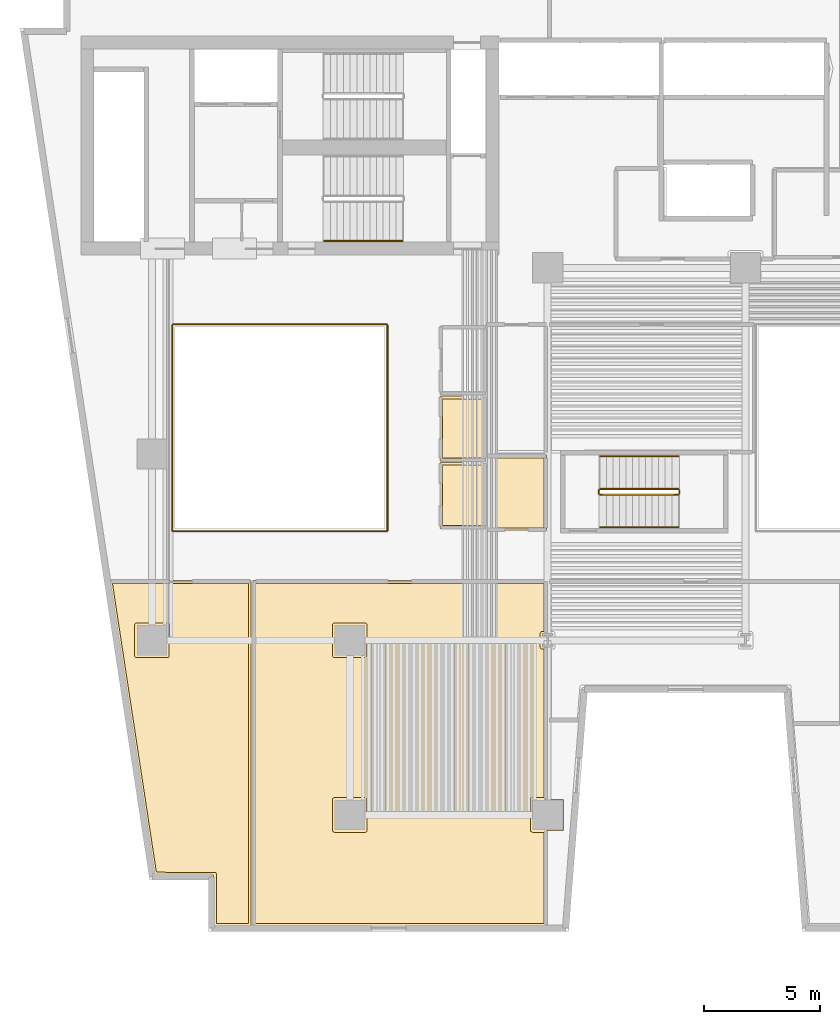
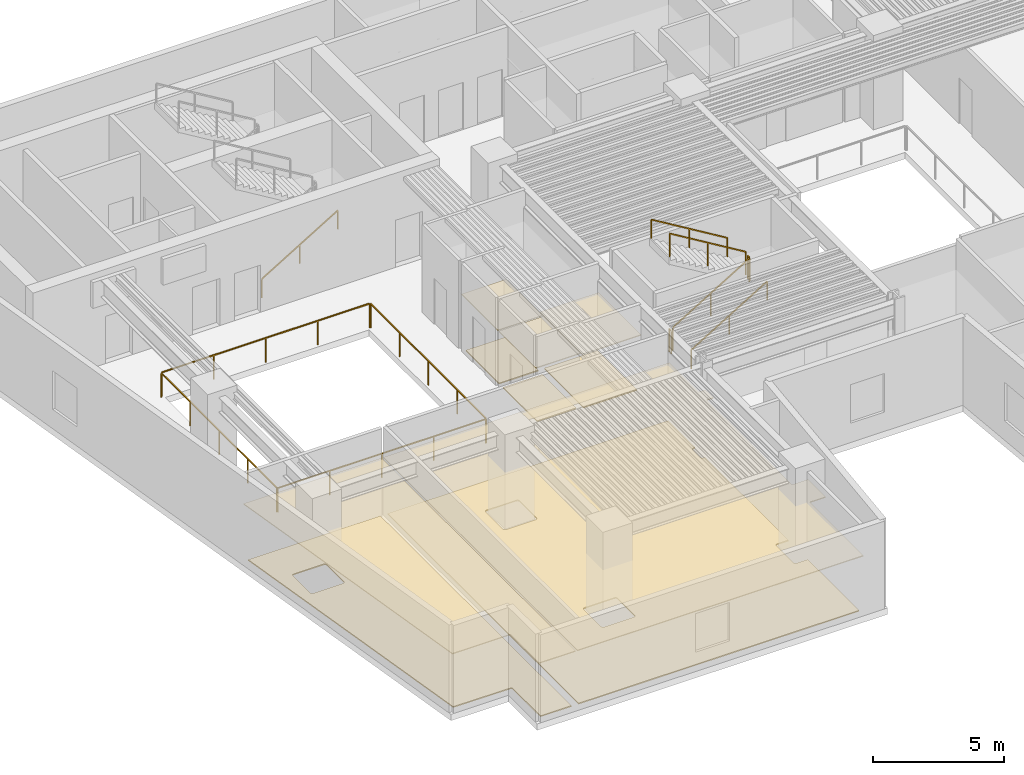
# One storey, part 8 of 11: 11 railings, 10 coverings.
"""IFC4 building model written with IfcOpenShell, lengths in metres."""

from ifc_helpers import new_model, si_unit, direction, frame, origin, origin_2d, place, context, subcontext, project, spatial, polyline, rectangle, outline, extrude, material, layer, layer_set, type_object, element, save


model = new_model("IFC4")

# Units and contexts
model_context = context("Model", 3, precision=1e-05, world=origin(), true_north=direction((0.0, 1.0)))
body_context = subcontext(model_context, "Body", "Model", "MODEL_VIEW")
ifc_project = project(units=[si_unit("LENGTHUNIT", "METRE"), si_unit("AREAUNIT", "SQUARE_METRE"), si_unit("VOLUMEUNIT", "CUBIC_METRE"), si_unit("PLANEANGLEUNIT", "RADIAN"), si_unit("MASSUNIT", "GRAM", prefix="KILO")], contexts=[model_context])

# Site, building, storey
site_placement = place(None, origin())
site = spatial("IfcSite", under=ifc_project, at=site_placement, CompositionType="ELEMENT")
building_placement = place(site_placement, origin())
building = spatial("IfcBuilding", under=site, at=building_placement, Name="Caeloran Harvest Quay", CompositionType="ELEMENT")
storey_placement = place(building_placement, frame((0.0, 0.0, 40.199951171875)))
storey = spatial("IfcBuildingStorey", under=building, at=storey_placement, Name="L09", CompositionType="ELEMENT", Elevation=40.199951171875)

# Coverings
ifc_material_1 = material(Name="Perforated Mineral-Fibre Acoustic Ceiling Tile", Category="ceiling")
ifc_layer_1 = layer(ifc_material_1, 0.0400390625, Name="Perforated Mineral-Fibre Acoustic Ceiling Tile")
ifc_layer_set_1 = layer_set([ifc_layer_1], Name="Perforated Mineral-Fibre Acoustic Ceiling Tile")
covering_type_1 = type_object("IfcCoveringType", Name="COV-CEILING-ACOUSTIC", PredefinedType="CEILING", material=ifc_layer_set_1)
covering_1_placement = place(storey_placement, frame((0.0, 0.0, 2.60009765625)))
element("IfcCovering", 1, at=covering_1_placement, inside=storey, type_object=covering_type_1, Name="L09 Female Washroom WC Acoustic Ceiling", PredefinedType="CEILING", context=body_context, shape_type="SweptSolid", body=[
    extrude(outline(polyline([(22.840087890625, 22.7099609375), (20.8701171875, 22.7099609375), (20.8701171875, 25.489990234375), (22.840087890625, 25.489990234375), (22.840087890625, 22.7099609375)])), origin(), (0.0, 0.0, 1.0), 0.0400390625),
])
covering_2_placement = place(storey_placement, frame((0.0, 0.0, 2.60009765625)))
element("IfcCovering", 2, at=covering_2_placement, inside=storey, type_object=covering_type_1, Name="L09 Accessible Unisex Washroom WC Acoustic Ceiling", PredefinedType="CEILING", context=body_context, shape_type="SweptSolid", body=[
    extrude(outline(polyline([(22.840087890625, 19.81005859375), (20.8701171875, 19.81005859375), (20.8701171875, 22.639892578125), (22.840087890625, 22.639892578125), (22.840087890625, 19.81005859375)])), origin(), (0.0, 0.0, 1.0), 0.0400390625),
])
covering_3_placement = place(storey_placement, frame((0.0, 0.0, 2.60009765625)))
element("IfcCovering", 3, at=covering_3_placement, inside=storey, type_object=covering_type_1, Name="Saffron and Herb Vertical Growing Room Acoustic Ceiling", PredefinedType="CEILING", context=body_context, shape_type="SweptSolid", body=[
    extrude(outline(polyline([(26.169921875, 8.169921875), (26.169921875, 6.830078125), (25.4599609375, 6.830078125), (25.4599609375, 2.719970703125), (12.840087890625, 2.719970703125), (12.840087890625, 17.56005859375), (25.4599609375, 17.56005859375), (25.4599609375, 15.304443359375), (25.7470703125, 15.304443359375), (25.7470703125, 14.695556640625), (25.4599609375, 14.695556640625), (25.4599609375, 8.169921875), (26.169921875, 8.169921875)])), origin(), (0.0, 0.0, 1.0), 0.0400390625),
])
covering_4_placement = place(storey_placement, frame((0.0, 0.0, 2.60009765625)))
element("IfcCovering", 4, at=covering_4_placement, inside=storey, type_object=covering_type_1, Name="Pollination Entomology Laboratory Acoustic Ceiling", PredefinedType="CEILING", context=body_context, shape_type="SweptSolid", body=[
    extrude(outline(polyline([(12.760009765625, 2.719970703125), (11.156982421875, 2.719970703125), (11.156982421875, 4.919921875), (8.59130859375, 4.919921875), (6.668701171875, 17.56005859375), (12.760009765625, 17.56005859375), (12.760009765625, 2.719970703125)])), origin(), (0.0, 0.0, 1.0), 0.0400390625),
])
covering_5_placement = place(storey_placement, frame((0.0, 0.0, 2.60009765625)))
element("IfcCovering", 5, at=covering_5_placement, inside=storey, type_object=covering_type_1, Name="Controlled-Climate Seed Vault Laboratory Acoustic Ceiling", PredefinedType="CEILING", context=body_context, shape_type="SweptSolid", body=[
    extrude(outline(polyline([(25.4599609375, 19.7099609375), (22.8701171875, 19.7099609375), (22.8701171875, 22.9599609375), (25.4599609375, 22.9599609375), (25.4599609375, 19.7099609375)])), origin(), (0.0, 0.0, 1.0), 0.0400390625),
])
ifc_material_2 = material(Name="Calcium-Sulphate Raised Access Floor and Terrazzo Finish", Category="flooring")
ifc_layer_2 = layer(ifc_material_2, 0.050048828125, Name="Calcium-Sulphate Raised Access Floor and Terrazzo Finish")
ifc_layer_set_2 = layer_set([ifc_layer_2], Name="Calcium-Sulphate Raised Access Floor and Terrazzo Finish")
covering_type_2 = type_object("IfcCoveringType", Name="COV-FLOOR-RAISED", PredefinedType="FLOORING", material=ifc_layer_set_2)
covering_6_placement = place(storey_placement, origin())
element("IfcCovering", 6, at=covering_6_placement, inside=storey, type_object=covering_type_2, Name="L09 Female Washroom WC Raised Finish Flooring", PredefinedType="FLOORING", context=body_context, shape_type="SweptSolid", body=[
    extrude(outline(polyline([(22.719970703125, 22.830078125), (20.989990234375, 22.830078125), (20.989990234375, 25.3701171875), (22.719970703125, 25.3701171875), (22.719970703125, 22.830078125)])), origin(), (0.0, 0.0, 1.0), 0.050048828125),
])
covering_7_placement = place(storey_placement, origin())
element("IfcCovering", 7, at=covering_7_placement, inside=storey, type_object=covering_type_2, Name="L09 Accessible Unisex Washroom WC Raised Finish Flooring", PredefinedType="FLOORING", context=body_context, shape_type="SweptSolid", body=[
    extrude(outline(polyline([(22.719970703125, 19.929931640625), (20.989990234375, 19.929931640625), (20.989990234375, 22.52001953125), (22.719970703125, 22.52001953125), (22.719970703125, 19.929931640625)])), origin(), (0.0, 0.0, 1.0), 0.050048828125),
])
covering_8_placement = place(storey_placement, origin())
element("IfcCovering", 8, at=covering_8_placement, inside=storey, type_object=covering_type_2, Name="Saffron and Herb Vertical Growing Room Raised Finish Flooring", PredefinedType="FLOORING", context=body_context, shape_type="SweptSolid", body=[
    extrude(outline(polyline([(25.340087890625, 17.43994140625), (25.340087890625, 15.37939453125), (25.22021484375, 15.3701171875), (25.177978515625, 15.299560546875), (25.179443359375, 14.684814453125), (25.227294921875, 14.626708984375), (25.340087890625, 14.62060546875), (25.340087890625, 8.2451171875), (24.8271484375, 8.24462890625), (24.773193359375, 8.2158203125), (24.7548828125, 8.1650390625), (24.760986328125, 6.804443359375), (24.8271484375, 6.75537109375), (25.340087890625, 6.7548828125), (25.340087890625, 2.840087890625), (12.9599609375, 2.840087890625), (12.9599609375, 17.43994140625), (25.340087890625, 17.43994140625)]), holes=[polyline([(16.3349609375, 8.2451171875), (16.2783203125, 8.2216796875), (16.2548828125, 8.1650390625), (16.2548828125, 6.8349609375), (16.2783203125, 6.7783203125), (16.3349609375, 6.7548828125), (17.6650390625, 6.7548828125), (17.7216796875, 6.7783203125), (17.7451171875, 6.8349609375), (17.7451171875, 8.1650390625), (17.7216796875, 8.2216796875), (17.6650390625, 8.2451171875), (16.3349609375, 8.2451171875)]), polyline([(17.7451171875, 15.6650390625), (17.7216796875, 15.7216796875), (17.6650390625, 15.7451171875), (16.3349609375, 15.7451171875), (16.2783203125, 15.7216796875), (16.2548828125, 15.6650390625), (16.2548828125, 14.3349609375), (16.2783203125, 14.2783203125), (16.3349609375, 14.2548828125), (17.6650390625, 14.2548828125), (17.7216796875, 14.2783203125), (17.7451171875, 14.3349609375), (17.7451171875, 15.6650390625)])]), origin(), (0.0, 0.0, 1.0), 0.050048828125),
])
covering_9_placement = place(storey_placement, origin())
element("IfcCovering", 9, at=covering_9_placement, inside=storey, type_object=covering_type_2, Name="Pollination Entomology Laboratory Raised Finish Flooring", PredefinedType="FLOORING", context=body_context, shape_type="SweptSolid", body=[
    extrude(outline(polyline([(12.639892578125, 17.43994140625), (12.639892578125, 2.840087890625), (11.277099609375, 2.840087890625), (11.277099609375, 4.9599609375), (11.247802734375, 5.021728515625), (8.694580078125, 5.0400390625), (6.80810546875, 17.43994140625), (12.639892578125, 17.43994140625)]), holes=[polyline([(9.2451171875, 15.6650390625), (9.2216796875, 15.7216796875), (9.1650390625, 15.7451171875), (7.8349609375, 15.7451171875), (7.7783203125, 15.7216796875), (7.7548828125, 15.6650390625), (7.7548828125, 14.3349609375), (7.7783203125, 14.2783203125), (7.8349609375, 14.2548828125), (9.1650390625, 14.2548828125), (9.2216796875, 14.2783203125), (9.2451171875, 14.3349609375), (9.2451171875, 15.6650390625)])]), origin(), (0.0, 0.0, 1.0), 0.050048828125),
])
covering_10_placement = place(storey_placement, origin())
element("IfcCovering", 10, at=covering_10_placement, inside=storey, type_object=covering_type_2, Name="Controlled-Climate Seed Vault Laboratory Raised Finish Flooring", PredefinedType="FLOORING", context=body_context, shape_type="SweptSolid", body=[
    extrude(outline(polyline([(25.340087890625, 19.830078125), (22.989990234375, 19.830078125), (22.989990234375, 22.840087890625), (25.340087890625, 22.840087890625), (25.340087890625, 19.830078125)])), origin(), (0.0, 0.0, 1.0), 0.050048828125),
])

# Railings
ifc_material_3 = material(Name="Powder-Coated Steel Post and Laminated Glass Guardrail", Category="steel")
ifc_layer_3 = layer(ifc_material_3, 0.06005859375, Name="Powder-Coated Steel Post and Laminated Glass Guardrail")
ifc_layer_set_3 = layer_set([ifc_layer_3], Name="Powder-Coated Steel Post and Laminated Glass Guardrail")
railing_type_1 = type_object("IfcRailingType", Name="GUARD-ATRIUM-1150", PredefinedType="GUARDRAIL", material=ifc_layer_set_3)
railing_1_placement = place(storey_placement, frame((9.412109375, 19.679931640625, 0.0)))
element("IfcRailing", 11, at=railing_1_placement, inside=storey, type_object=railing_type_1, Name="L09 Skylit Atrium Void Perimeter Guardrail Seg 1", PredefinedType="GUARDRAIL", context=body_context, shape_type="SweptSolid", body=[
    extrude(rectangle(XDim=0.048095703125, YDim=0.048095703125, at=origin_2d()), frame((0.0, 0.0, 1.1259765625), z_axis=(1.0, 0.0, 0.0), x_axis=(0.0, 1.0, 0.0)), (0.0, 0.0, 1.0), 9.17578125),
    extrude(rectangle(XDim=0.0419921875, YDim=0.0419921875, at=origin_2d()), origin(), (0.0, 0.0, 1.0), 1.101806640625),
    extrude(rectangle(XDim=0.0419921875, YDim=0.0419921875, at=origin_2d()), frame((2.2939453125, 0.0, 0.0)), (0.0, 0.0, 1.0), 1.101806640625),
    extrude(rectangle(XDim=0.0419921875, YDim=0.0419921875, at=origin_2d()), frame((4.587890625, 0.0, 0.0)), (0.0, 0.0, 1.0), 1.101806640625),
    extrude(rectangle(XDim=0.0419921875, YDim=0.0419921875, at=origin_2d()), frame((6.8818359375, 0.0, 0.0)), (0.0, 0.0, 1.0), 1.101806640625),
    extrude(rectangle(XDim=0.0419921875, YDim=0.0419921875, at=origin_2d()), frame((9.17578125, 0.0, 0.0)), (0.0, 0.0, 1.0), 1.101806640625),
])
railing_2_placement = place(storey_placement, frame((18.6201171875, 19.7119140625, 0.0)))
element("IfcRailing", 12, at=railing_2_placement, inside=storey, type_object=railing_type_1, Name="L09 Skylit Atrium Void Perimeter Guardrail Seg 2", PredefinedType="GUARDRAIL", context=body_context, shape_type="SweptSolid", body=[
    extrude(rectangle(XDim=0.048095703125, YDim=0.048095703125, at=origin_2d()), frame((0.0, 0.0, 1.1259765625), z_axis=(0.0, 1.0, 0.0), x_axis=(-1.0, 0.0, 0.0)), (0.0, 0.0, 1.0), 8.826171875),
    extrude(rectangle(XDim=0.0419921875, YDim=0.0419921875, at=origin_2d()), origin(), (0.0, 0.0, 1.0), 1.101806640625),
    extrude(rectangle(XDim=0.0419921875, YDim=0.0419921875, at=origin_2d()), frame((0.0, 2.20654296875, 0.0)), (0.0, 0.0, 1.0), 1.101806640625),
    extrude(rectangle(XDim=0.0419921875, YDim=0.0419921875, at=origin_2d()), frame((0.0, 4.4130859375, 0.0)), (0.0, 0.0, 1.0), 1.101806640625),
    extrude(rectangle(XDim=0.0419921875, YDim=0.0419921875, at=origin_2d()), frame((0.0, 6.61962890625, 0.0)), (0.0, 0.0, 1.0), 1.101806640625),
    extrude(rectangle(XDim=0.0419921875, YDim=0.0419921875, at=origin_2d()), frame((0.0, 8.826171875, 0.0)), (0.0, 0.0, 1.0), 1.101806640625),
])
railing_3_placement = place(storey_placement, frame((18.587890625, 28.570068359375, 0.0)))
element("IfcRailing", 13, at=railing_3_placement, inside=storey, type_object=railing_type_1, Name="L09 Skylit Atrium Void Perimeter Guardrail Seg 3", PredefinedType="GUARDRAIL", context=body_context, shape_type="SweptSolid", body=[
    extrude(rectangle(XDim=0.048095703125, YDim=0.048095703125, at=origin_2d()), frame((0.0, 0.0, 1.1259765625), z_axis=(-1.0, 0.0, 0.0), x_axis=(0.0, -1.0, 0.0)), (0.0, 0.0, 1.0), 9.17578125),
    extrude(rectangle(XDim=0.0419921875, YDim=0.0419921875, at=origin_2d()), origin(), (0.0, 0.0, 1.0), 1.101806640625),
    extrude(rectangle(XDim=0.0419921875, YDim=0.0419921875, at=origin_2d()), frame((-2.2939453125, 0.0, 0.0)), (0.0, 0.0, 1.0), 1.101806640625),
    extrude(rectangle(XDim=0.0419921875, YDim=0.0419921875, at=origin_2d()), frame((-4.587890625, 0.0, 0.0)), (0.0, 0.0, 1.0), 1.101806640625),
    extrude(rectangle(XDim=0.0419921875, YDim=0.0419921875, at=origin_2d()), frame((-6.8818359375, 0.0, 0.0)), (0.0, 0.0, 1.0), 1.101806640625),
    extrude(rectangle(XDim=0.0419921875, YDim=0.0419921875, at=origin_2d()), frame((-9.17578125, 0.0, 0.0)), (0.0, 0.0, 1.0), 1.101806640625),
])
railing_4_placement = place(storey_placement, frame((9.3798828125, 28.5380859375, 0.0)))
element("IfcRailing", 14, at=railing_4_placement, inside=storey, type_object=railing_type_1, Name="L09 Skylit Atrium Void Perimeter Guardrail Seg 4", PredefinedType="GUARDRAIL", context=body_context, shape_type="SweptSolid", body=[
    extrude(rectangle(XDim=0.048095703125, YDim=0.048095703125, at=origin_2d()), frame((0.0, 0.0, 1.1259765625), z_axis=(0.0, -1.0, 0.0), x_axis=(1.0, 0.0, 0.0)), (0.0, 0.0, 1.0), 8.826171875),
    extrude(rectangle(XDim=0.0419921875, YDim=0.0419921875, at=origin_2d()), origin(), (0.0, 0.0, 1.0), 1.101806640625),
    extrude(rectangle(XDim=0.0419921875, YDim=0.0419921875, at=origin_2d()), frame((0.0, -2.20654296875, 0.0)), (0.0, 0.0, 1.0), 1.101806640625),
    extrude(rectangle(XDim=0.0419921875, YDim=0.0419921875, at=origin_2d()), frame((0.0, -4.4130859375, 0.0)), (0.0, 0.0, 1.0), 1.101806640625),
    extrude(rectangle(XDim=0.0419921875, YDim=0.0419921875, at=origin_2d()), frame((0.0, -6.61962890625, 0.0)), (0.0, 0.0, 1.0), 1.101806640625),
    extrude(rectangle(XDim=0.0419921875, YDim=0.0419921875, at=origin_2d()), frame((0.0, -8.826171875, 0.0)), (0.0, 0.0, 1.0), 1.101806640625),
])
ifc_material_4 = material(Name="Painted Steel Baluster and Top-Rail Stair Guard", Category="steel")
ifc_layer_4 = layer(ifc_material_4, 0.050048828125, Name="Painted Steel Baluster and Top-Rail Stair Guard")
ifc_layer_set_4 = layer_set([ifc_layer_4], Name="Painted Steel Baluster and Top-Rail Stair Guard")
railing_type_2 = type_object("IfcRailingType", Name="STAIR-GUARD-1100", PredefinedType="GUARDRAIL", material=ifc_layer_set_4)
railing_5_placement = place(storey_placement, frame((27.75, 21.25, 0.169189453125)))
element("IfcRailing", 15, at=railing_5_placement, inside=storey, type_object=railing_type_2, Name="L09 ST-W1 stair guard 1", PredefinedType="GUARDRAIL", context=body_context, shape_type="SweptSolid", body=[
    extrude(rectangle(XDim=0.048095703125, YDim=0.048095703125, at=origin_2d()), frame((0.0, 0.0, 1.076171875), z_axis=(0.855836976705, 0.0, 0.517245656632), x_axis=(0.0, 1.0, 0.0)), (0.0, 0.0, 1.0), 3.926025390625),
    extrude(rectangle(XDim=0.0419921875, YDim=0.0419921875, at=origin_2d()), origin(), (0.0, 0.0, 1.0), 1.052001953125),
    extrude(rectangle(XDim=0.0419921875, YDim=0.0419921875, at=origin_2d()), frame((1.68017578125, 0.0, 1.015380859375)), (0.0, 0.0, 1.0), 1.052001953125),
    extrude(rectangle(XDim=0.0419921875, YDim=0.0419921875, at=origin_2d()), frame((3.360107421875, 0.0, 2.03076171875)), (0.0, 0.0, 1.0), 1.052001953125),
])
railing_6_placement = place(storey_placement, frame((31.159912109375, 21.300048828125, 2.199951171875)))
element("IfcRailing", 16, at=railing_6_placement, inside=storey, type_object=railing_type_2, Name="L09 ST-W1 stair guard 2", PredefinedType="GUARDRAIL", context=body_context, shape_type="SweptSolid", body=[
    extrude(rectangle(XDim=0.048095703125, YDim=0.048095703125, at=origin_2d()), frame((0.0, 0.0, 1.076171875), z_axis=(0.0, 1.0, 0.0), x_axis=(-1.0, 0.0, 0.0)), (0.0, 0.0, 1.0), 0.14990234375),
    extrude(rectangle(XDim=0.0419921875, YDim=0.0419921875, at=origin_2d()), origin(), (0.0, 0.0, 1.0), 1.052001953125),
    extrude(rectangle(XDim=0.0419921875, YDim=0.0419921875, at=origin_2d()), frame((0.0, 0.14990234375, 0.0)), (0.0, 0.0, 1.0), 1.052001953125),
])
railing_7_placement = place(storey_placement, frame((31.110107421875, 21.5, 2.369384765625)))
element("IfcRailing", 17, at=railing_7_placement, inside=storey, type_object=railing_type_2, Name="L09 ST-W1 stair guard 3", PredefinedType="GUARDRAIL", context=body_context, shape_type="SweptSolid", body=[
    extrude(rectangle(XDim=0.048095703125, YDim=0.048095703125, at=origin_2d()), frame((0.0, 0.0, 1.076171875), z_axis=(-0.855836976705, 0.0, 0.517245656632), x_axis=(0.0, -1.0, 0.0)), (0.0, 0.0, 1.0), 3.926025390625),
    extrude(rectangle(XDim=0.0419921875, YDim=0.0419921875, at=origin_2d()), origin(), (0.0, 0.0, 1.0), 1.052001953125),
    extrude(rectangle(XDim=0.0419921875, YDim=0.0419921875, at=origin_2d()), frame((-1.68017578125, 0.0, 1.015380859375)), (0.0, 0.0, 1.0), 1.052001953125),
    extrude(rectangle(XDim=0.0419921875, YDim=0.0419921875, at=origin_2d()), frame((-3.360107421875, 0.0, 2.03076171875)), (0.0, 0.0, 1.0), 1.052001953125),
])
railing_8_placement = place(storey_placement, frame((27.699951171875, 21.300048828125, 0.0)))
element("IfcRailing", 18, at=railing_8_placement, inside=storey, type_object=railing_type_2, Name="L09 ST-W1 stair guard 4", PredefinedType="GUARDRAIL", context=body_context, shape_type="SweptSolid", body=[
    extrude(rectangle(XDim=0.048095703125, YDim=0.048095703125, at=origin_2d()), frame((0.0, 0.0, 1.076171875), z_axis=(0.0, 1.0, 0.0), x_axis=(-1.0, 0.0, 0.0)), (0.0, 0.0, 1.0), 0.14990234375),
    extrude(rectangle(XDim=0.0419921875, YDim=0.0419921875, at=origin_2d()), origin(), (0.0, 0.0, 1.0), 1.052001953125),
    extrude(rectangle(XDim=0.0419921875, YDim=0.0419921875, at=origin_2d()), frame((0.0, 0.14990234375, 0.0)), (0.0, 0.0, 1.0), 1.052001953125),
])
ifc_material_5 = material(Name="Brushed Stainless Steel Grade 304", Category="steel")
ifc_layer_5 = layer(ifc_material_5, 0.050048828125, Name="Brushed Stainless Steel Grade 304")
ifc_layer_set_5 = layer_set([ifc_layer_5], Name="Brushed Stainless Steel Grade 304")
railing_type_3 = type_object("IfcRailingType", Name="STAIR-HANDRAIL-900", PredefinedType="HANDRAIL", material=ifc_layer_set_5)
for number, where, name in (
    (19, (15.89990234375, 32.14990234375, 0.169189453125), "L09 ST-C2 stair handrail 1"),
    (20, (27.75, 19.85009765625, 0.169189453125), "L09 ST-W1 stair handrail 1"),
):
    element("IfcRailing", number, at=place(storey_placement, frame(where)), inside=storey, type_object=railing_type_3, Name=name, PredefinedType="HANDRAIL", context=body_context, shape_type="SweptSolid", body=[
        extrude(rectangle(XDim=0.048095703125, YDim=0.048095703125, at=origin_2d()), frame((0.0, 0.0, 0.8759765625), z_axis=(0.855836976705, 0.0, 0.517245656632), x_axis=(0.0, 1.0, 0.0)), (0.0, 0.0, 1.0), 3.926025390625),
        extrude(rectangle(XDim=0.0419921875, YDim=0.0419921875, at=origin_2d()), origin(), (0.0, 0.0, 1.0), 0.851806640625),
        extrude(rectangle(XDim=0.0419921875, YDim=0.0419921875, at=origin_2d()), frame((1.68017578125, 0.0, 1.015380859375)), (0.0, 0.0, 1.0), 0.851806640625),
        extrude(rectangle(XDim=0.0419921875, YDim=0.0419921875, at=origin_2d()), frame((3.360107421875, 0.0, 2.03076171875)), (0.0, 0.0, 1.0), 0.851806640625),
    ])
railing_9_placement = place(storey_placement, frame((31.110107421875, 22.89990234375, 2.369384765625)))
element("IfcRailing", 21, at=railing_9_placement, inside=storey, type_object=railing_type_3, Name="L09 ST-W1 stair handrail 2", PredefinedType="HANDRAIL", context=body_context, shape_type="SweptSolid", body=[
    extrude(rectangle(XDim=0.048095703125, YDim=0.048095703125, at=origin_2d()), frame((0.0, 0.0, 0.8759765625), z_axis=(-0.855836976705, 0.0, 0.517245656632), x_axis=(0.0, -1.0, 0.0)), (0.0, 0.0, 1.0), 3.926025390625),
    extrude(rectangle(XDim=0.0419921875, YDim=0.0419921875, at=origin_2d()), origin(), (0.0, 0.0, 1.0), 0.851806640625),
    extrude(rectangle(XDim=0.0419921875, YDim=0.0419921875, at=origin_2d()), frame((-1.68017578125, 0.0, 1.015380859375)), (0.0, 0.0, 1.0), 0.851806640625),
    extrude(rectangle(XDim=0.0419921875, YDim=0.0419921875, at=origin_2d()), frame((-3.360107421875, 0.0, 2.03076171875)), (0.0, 0.0, 1.0), 0.851806640625),
])

save(model, "model.ifc")
